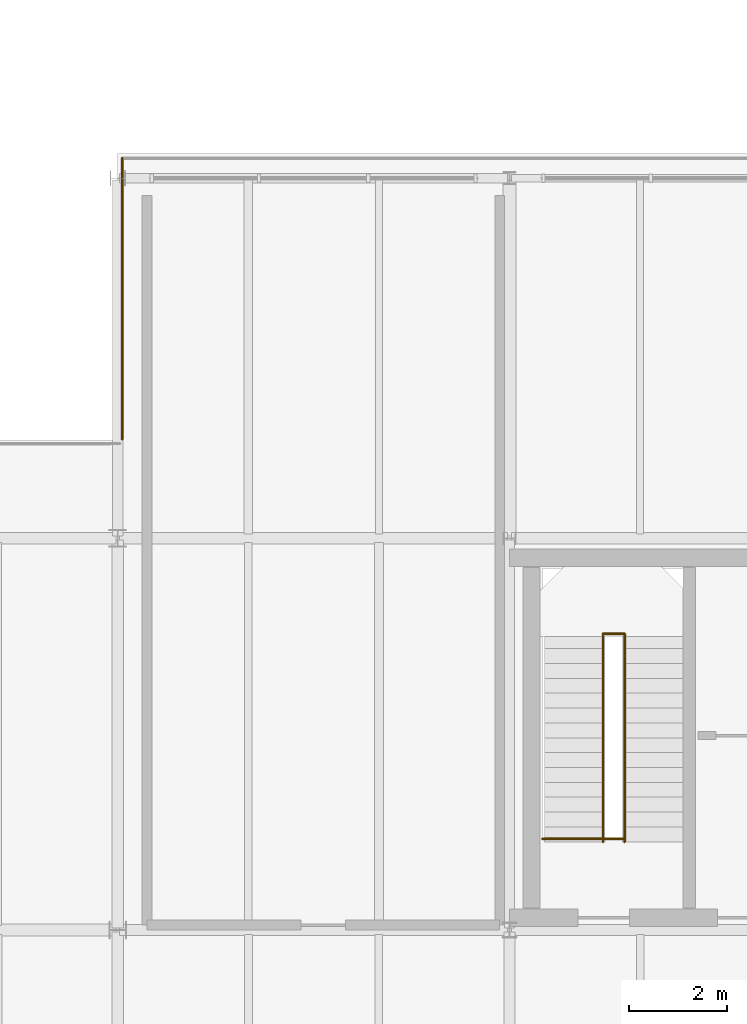
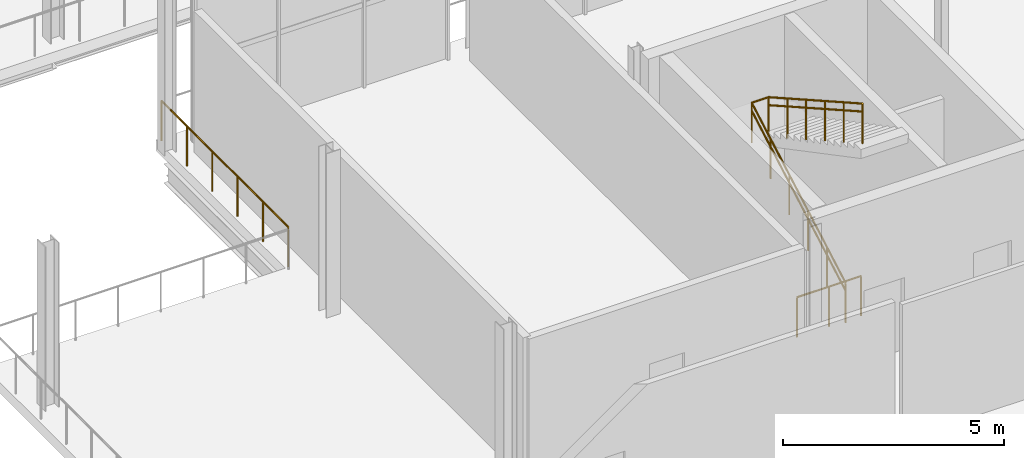
# One storey, part 84 of 93: 7 railings.
"""IFC4 building model written with IfcOpenShell, lengths in metres."""

from ifc_helpers import new_model, si_unit, direction, frame, origin, origin_2d, place, context, subcontext, project, spatial, circle, extrude, material, type_object, element, save


model = new_model("IFC4")

# Units and contexts
model_context = context("Model", 3, precision=1e-05, world=origin(), true_north=direction((0.0, 1.0)))
body_context = subcontext(model_context, "Body", "Model", "MODEL_VIEW")
ifc_project = project(units=[si_unit("LENGTHUNIT", "METRE"), si_unit("AREAUNIT", "SQUARE_METRE"), si_unit("VOLUMEUNIT", "CUBIC_METRE"), si_unit("PLANEANGLEUNIT", "RADIAN"), si_unit("MASSUNIT", "GRAM", prefix="KILO")], contexts=[model_context])

# Site, building, storey
site_placement = place(None, origin())
site = spatial("IfcSite", under=ifc_project, at=site_placement, CompositionType="ELEMENT")
building_placement = place(site_placement, origin())
building = spatial("IfcBuilding", under=site, at=building_placement, Name="Brisemont Oceanarium", CompositionType="ELEMENT")
storey_placement = place(building_placement, frame((0.0, 0.0, 5.39990234375)))
storey = spatial("IfcBuildingStorey", under=building, at=storey_placement, Name="L01", CompositionType="ELEMENT", Elevation=5.39990234375)

# Railings
ifc_material_1 = material(Name="Duplex Stainless Steel EN 1.4462", Category="steel")
railing_type_1 = type_object("IfcRailingType", Name="RLG-GUARD-1120", PredefinedType="GUARDRAIL", material=ifc_material_1)
railing_1_placement = place(storey_placement, frame((128.669921875, 17.860107421875, 0.0)))
element("IfcRailing", 1, at=railing_1_placement, inside=storey, type_object=railing_type_1, Name="ST-04 L01 landing edge guard", PredefinedType="GUARDRAIL", context=body_context, shape_type="SweptSolid", body=[
    extrude(circle(Radius=0.02392578125, at=origin_2d()), frame((0.0, 0.0, 1.09619140625), z_axis=(1.0, 0.0, 0.0), x_axis=(0.0, 1.0, 0.0)), (0.0, 0.0, 1.0), 1.68017578125),
    extrude(circle(Radius=0.02099609375, at=origin_2d()), origin(), (0.0, 0.0, 1.0), 1.072021484375),
    extrude(circle(Radius=0.02099609375, at=origin_2d()), frame((0.840087890625, 0.0, 0.0)), (0.0, 0.0, 1.0), 1.072021484375),
    extrude(circle(Radius=0.02099609375, at=origin_2d()), frame((1.68017578125, 0.0, 0.0)), (0.0, 0.0, 1.0), 1.072021484375),
])
railing_2_placement = place(storey_placement, frame((129.909912109375, 17.800048828125, 0.0)))
element("IfcRailing", 2, at=railing_2_placement, inside=storey, type_object=railing_type_1, Name="ST-04 L01 F1 well guard", PredefinedType="GUARDRAIL", context=body_context, shape_type="SweptSolid", body=[
    extrude(circle(Radius=0.02392578125, at=origin_2d()), frame((0.0, 0.0, 1.09619140625), z_axis=(0.0, 0.870740716755, 0.491742416499), x_axis=(-1.0, 0.0, 0.0)), (0.0, 0.0, 1.0), 4.880859375),
    extrude(circle(Radius=0.02099609375, at=origin_2d()), origin(), (0.0, 0.0, 1.0), 1.072021484375),
    extrude(circle(Radius=0.02099609375, at=origin_2d()), frame((0.0, 0.85009765625, 0.47998046875)), (0.0, 0.0, 1.0), 1.072021484375),
    extrude(circle(Radius=0.02099609375, at=origin_2d()), frame((0.0, 1.699951171875, 0.9599609375)), (0.0, 0.0, 1.0), 1.072021484375),
    extrude(circle(Radius=0.02099609375, at=origin_2d()), frame((0.0, 2.550048828125, 1.440185546875)), (0.0, 0.0, 1.0), 1.072021484375),
    extrude(circle(Radius=0.02099609375, at=origin_2d()), frame((0.0, 3.39990234375, 1.920166015625)), (0.0, 0.0, 1.0), 1.072021484375),
    extrude(circle(Radius=0.02099609375, at=origin_2d()), frame((0.0, 4.25, 2.400146484375)), (0.0, 0.0, 1.0), 1.072021484375),
])
railing_3_placement = place(storey_placement, frame((130.35009765625, 22.050048828125, 2.400146484375)))
element("IfcRailing", 3, at=railing_3_placement, inside=storey, type_object=railing_type_1, Name="ST-04 L01 F2 well guard", PredefinedType="GUARDRAIL", context=body_context, shape_type="SweptSolid", body=[
    extrude(circle(Radius=0.02392578125, at=origin_2d()), frame((0.0, 0.0, 1.09619140625), z_axis=(0.0, -0.870762133844, 0.491704490791), x_axis=(1.0, 0.0, 0.0)), (0.0, 0.0, 1.0), 4.880859375),
    extrude(circle(Radius=0.02099609375, at=origin_2d()), origin(), (0.0, 0.0, 1.0), 1.072021484375),
    extrude(circle(Radius=0.02099609375, at=origin_2d()), frame((0.0, -0.85009765625, 0.47998046875)), (0.0, 0.0, 1.0), 1.072021484375),
    extrude(circle(Radius=0.02099609375, at=origin_2d()), frame((0.0, -1.699951171875, 0.9599609375)), (0.0, 0.0, 1.0), 1.072021484375),
    extrude(circle(Radius=0.02099609375, at=origin_2d()), frame((0.0, -2.550048828125, 1.43994140625)), (0.0, 0.0, 1.0), 1.072021484375),
    extrude(circle(Radius=0.02099609375, at=origin_2d()), frame((0.0, -3.39990234375, 1.919921875)), (0.0, 0.0, 1.0), 1.072021484375),
    extrude(circle(Radius=0.02099609375, at=origin_2d()), frame((0.0, -4.25, 2.39990234375)), (0.0, 0.0, 1.0), 1.072021484375),
])
railing_4_placement = place(storey_placement, frame((129.909912109375, 22.050048828125, 2.400146484375)))
element("IfcRailing", 4, at=railing_4_placement, inside=storey, type_object=railing_type_1, Name="ST-04 L01 landing slot guard", PredefinedType="GUARDRAIL", context=body_context, shape_type="SweptSolid", body=[
    extrude(circle(Radius=0.02392578125, at=origin_2d()), frame((0.0, 0.0, 1.09619140625), z_axis=(1.0, 0.0, 0.0), x_axis=(0.0, 1.0, 0.0)), (0.0, 0.0, 1.0), 0.440185546875),
    extrude(circle(Radius=0.02099609375, at=origin_2d()), origin(), (0.0, 0.0, 1.0), 1.072021484375),
    extrude(circle(Radius=0.02099609375, at=origin_2d()), frame((0.440185546875, 0.0, 0.0)), (0.0, 0.0, 1.0), 1.072021484375),
])
railing_5_placement = place(storey_placement, frame((120.090087890625, 26.02001953125, 0.0)))
element("IfcRailing", 5, at=railing_5_placement, inside=storey, type_object=railing_type_1, Name="L01 slab perimeter safety guard 3", PredefinedType="GUARDRAIL", context=body_context, shape_type="SweptSolid", body=[
    extrude(circle(Radius=0.02392578125, at=origin_2d()), frame((0.0, 0.0, 1.09619140625), z_axis=(0.0, 1.0, 0.0), x_axis=(-1.0, 0.0, 0.0)), (0.0, 0.0, 1.0), 5.739501953125),
    extrude(circle(Radius=0.02099609375, at=origin_2d()), origin(), (0.0, 0.0, 1.0), 1.072021484375),
    extrude(circle(Radius=0.02099609375, at=origin_2d()), frame((0.0, 1.14794921875, 0.0)), (0.0, 0.0, 1.0), 1.072021484375),
    extrude(circle(Radius=0.02099609375, at=origin_2d()), frame((0.0, 2.2958984375, 0.0)), (0.0, 0.0, 1.0), 1.072021484375),
    extrude(circle(Radius=0.02099609375, at=origin_2d()), frame((0.0, 3.443603515625, 0.0)), (0.0, 0.0, 1.0), 1.072021484375),
    extrude(circle(Radius=0.02099609375, at=origin_2d()), frame((0.0, 4.591552734375, 0.0)), (0.0, 0.0, 1.0), 1.072021484375),
    extrude(circle(Radius=0.02099609375, at=origin_2d()), frame((0.0, 5.739501953125, 0.0)), (0.0, 0.0, 1.0), 1.072021484375),
])
ifc_material_2 = material(Name="Duplex Stainless Steel EN 1.4462", Category="steel")
railing_type_2 = type_object("IfcRailingType", Name="RLG-HAND-900", PredefinedType="HANDRAIL", material=ifc_material_2)
railing_6_placement = place(storey_placement, frame((129.909912109375, 17.800048828125, 0.0)))
element("IfcRailing", 6, at=railing_6_placement, inside=storey, type_object=railing_type_2, Name="ST-04 L01 F1 handrail", PredefinedType="HANDRAIL", context=body_context, shape_type="SweptSolid", body=[
    extrude(circle(Radius=0.02392578125, at=origin_2d()), frame((0.0, 0.0, 0.8759765625), z_axis=(0.0, 0.870740716755, 0.491742416499), x_axis=(-1.0, 0.0, 0.0)), (0.0, 0.0, 1.0), 4.880859375),
    extrude(circle(Radius=0.02099609375, at=origin_2d()), origin(), (0.0, 0.0, 1.0), 0.851806640625),
    extrude(circle(Radius=0.02099609375, at=origin_2d()), frame((0.0, 0.85009765625, 0.47998046875)), (0.0, 0.0, 1.0), 0.851806640625),
    extrude(circle(Radius=0.02099609375, at=origin_2d()), frame((0.0, 1.699951171875, 0.9599609375)), (0.0, 0.0, 1.0), 0.851806640625),
    extrude(circle(Radius=0.02099609375, at=origin_2d()), frame((0.0, 2.550048828125, 1.440185546875)), (0.0, 0.0, 1.0), 0.851806640625),
    extrude(circle(Radius=0.02099609375, at=origin_2d()), frame((0.0, 3.39990234375, 1.920166015625)), (0.0, 0.0, 1.0), 0.851806640625),
    extrude(circle(Radius=0.02099609375, at=origin_2d()), frame((0.0, 4.25, 2.400146484375)), (0.0, 0.0, 1.0), 0.851806640625),
])
railing_7_placement = place(storey_placement, frame((130.35009765625, 22.050048828125, 2.400146484375)))
element("IfcRailing", 7, at=railing_7_placement, inside=storey, type_object=railing_type_2, Name="ST-04 L01 F2 handrail", PredefinedType="HANDRAIL", context=body_context, shape_type="SweptSolid", body=[
    extrude(circle(Radius=0.02392578125, at=origin_2d()), frame((0.0, 0.0, 0.8759765625), z_axis=(0.0, -0.870762133844, 0.491704490791), x_axis=(1.0, 0.0, 0.0)), (0.0, 0.0, 1.0), 4.880859375),
    extrude(circle(Radius=0.02099609375, at=origin_2d()), origin(), (0.0, 0.0, 1.0), 0.851806640625),
    extrude(circle(Radius=0.02099609375, at=origin_2d()), frame((0.0, -0.85009765625, 0.47998046875)), (0.0, 0.0, 1.0), 0.851806640625),
    extrude(circle(Radius=0.02099609375, at=origin_2d()), frame((0.0, -1.699951171875, 0.9599609375)), (0.0, 0.0, 1.0), 0.851806640625),
    extrude(circle(Radius=0.02099609375, at=origin_2d()), frame((0.0, -2.550048828125, 1.43994140625)), (0.0, 0.0, 1.0), 0.851806640625),
    extrude(circle(Radius=0.02099609375, at=origin_2d()), frame((0.0, -3.39990234375, 1.919921875)), (0.0, 0.0, 1.0), 0.851806640625),
    extrude(circle(Radius=0.02099609375, at=origin_2d()), frame((0.0, -4.25, 2.39990234375)), (0.0, 0.0, 1.0), 0.851806640625),
])

save(model, "model.ifc")
